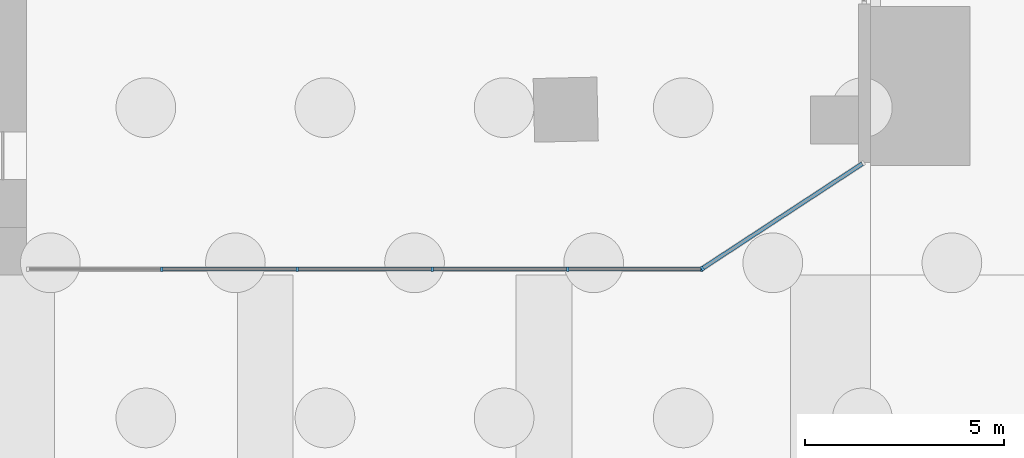
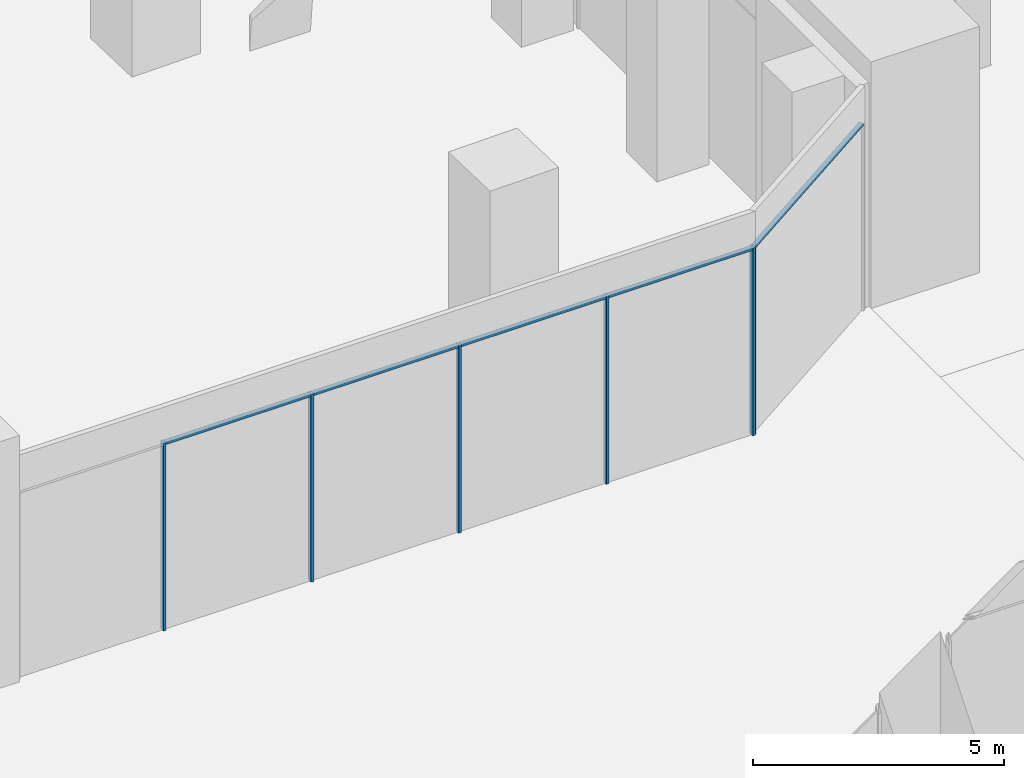
# One storey, part 27 of 46: 11 members, 2 elements without a shape of their own.
"""IFC4 building model written with IfcOpenShell, lengths in metres."""

from ifc_helpers import new_model, si_unit, direction, frame, origin, origin_2d, place, context, subcontext, project, spatial, rectangle, extrude, material, material_profile, profile_set, type_object, element, aggregate, save


model = new_model("IFC4")

# Units and contexts
model_context = context("Model", 3, precision=1e-05, world=origin(), true_north=direction((0.0, 1.0)))
body_context = subcontext(model_context, "Body", "Model", "MODEL_VIEW")
ifc_project = project(units=[si_unit("LENGTHUNIT", "METRE"), si_unit("AREAUNIT", "SQUARE_METRE"), si_unit("VOLUMEUNIT", "CUBIC_METRE"), si_unit("PLANEANGLEUNIT", "RADIAN"), si_unit("MASSUNIT", "GRAM", prefix="KILO")], contexts=[model_context])

# Site, building, storey
site_placement = place(None, origin())
site = spatial("IfcSite", under=ifc_project, at=site_placement, CompositionType="ELEMENT")
building_placement = place(site_placement, origin())
building = spatial("IfcBuilding", under=site, at=building_placement, Name="Mangrove Gate Tower", CompositionType="ELEMENT")
storey_placement = place(building_placement, origin())
storey = spatial("IfcBuildingStorey", under=building, at=storey_placement, Name="L00", CompositionType="ELEMENT", Elevation=0.0)

# Curtain wall, members
ifc_material_1 = material(Name="Aluminium and glass curtain wall", Category="aluminium")
curtain_wall_type = type_object("IfcCurtainWallType", Name="Podium shopfront glazing wall", PredefinedType="NOTDEFINED", material=ifc_material_1)
curtain_wall_1_placement = place(storey_placement, origin())
curtain_wall_1 = element("IfcCurtainWall", 1, at=curtain_wall_1_placement, inside=storey, type_object=curtain_wall_type, Name="Podium shopfront glazing S8s1", PredefinedType="NOTDEFINED")
ifc_material_2 = material(Name="Aluminium alloy 6063-T6", Category="aluminium")
ifc_material_profile_1 = material_profile(ifc_material_2, rectangle(XDim=0.06005859375, YDim=0.1201171875, at=origin_2d()))
ifc_profile_set_1 = profile_set([ifc_material_profile_1], Name="Aluminium alloy 6063-T6")
member_type_1 = type_object("IfcMemberType", Name="Podium shopfront glazing mullion 60x120", PredefinedType="MULLION", material=ifc_profile_set_1)
member_1_placement = place(storey_placement, frame((18.39990234375, -11.85009765625, 0.0), z_axis=(0.0, 0.0, 1.0), x_axis=(1.0, 0.0, 0.0)))
member_1 = element("IfcMember", 2, at=member_1_placement, type_object=member_type_1, Name="CWS mullion 2", PredefinedType="MULLION", context=body_context, shape_type="SweptSolid", body=[
    extrude(rectangle(XDim=0.06005859375, YDim=0.1201171875, at=origin_2d()), origin(), (0.0, 0.0, 1.0), 4.570068359375),
])
member_2_placement = place(storey_placement, frame((21.800048828125, -11.85009765625, 0.0), z_axis=(0.0, 0.0, 1.0), x_axis=(1.0, 0.0, 0.0)))
member_2 = element("IfcMember", 3, at=member_2_placement, type_object=member_type_1, Name="CWS mullion 3", PredefinedType="MULLION", context=body_context, shape_type="SweptSolid", body=[
    extrude(rectangle(XDim=0.06005859375, YDim=0.1201171875, at=origin_2d()), origin(), (0.0, 0.0, 1.0), 4.570068359375),
])
member_3_placement = place(storey_placement, frame((25.199951171875, -11.85009765625, 0.0), z_axis=(0.0, 0.0, 1.0), x_axis=(1.0, 0.0, 0.0)))
member_3 = element("IfcMember", 4, at=member_3_placement, type_object=member_type_1, Name="CWS mullion 4", PredefinedType="MULLION", context=body_context, shape_type="SweptSolid", body=[
    extrude(rectangle(XDim=0.06005859375, YDim=0.1201171875, at=origin_2d()), origin(), (0.0, 0.0, 1.0), 4.570068359375),
])
member_4_placement = place(storey_placement, frame((28.60009765625, -11.85009765625, 0.0), z_axis=(0.0, 0.0, 1.0), x_axis=(1.0, 0.0, 0.0)))
member_4 = element("IfcMember", 5, at=member_4_placement, type_object=member_type_1, Name="CWS mullion 5", PredefinedType="MULLION", context=body_context, shape_type="SweptSolid", body=[
    extrude(rectangle(XDim=0.06005859375, YDim=0.1201171875, at=origin_2d()), origin(), (0.0, 0.0, 1.0), 4.570068359375),
])
member_5_placement = place(storey_placement, frame((31.969970703125, -11.85009765625, 0.0), z_axis=(0.0, 0.0, 1.0), x_axis=(1.0, 0.0, 0.0)))
member_5 = element("IfcMember", 6, at=member_5_placement, type_object=member_type_1, Name="CWS mullion 6", PredefinedType="MULLION", context=body_context, shape_type="SweptSolid", body=[
    extrude(rectangle(XDim=0.06005859375, YDim=0.1201171875, at=origin_2d()), origin(), (0.0, 0.0, 1.0), 4.570068359375),
])

# Curtain wall, member
curtain_wall_2_placement = place(storey_placement, origin())
curtain_wall_2 = element("IfcCurtainWall", 7, at=curtain_wall_2_placement, inside=storey, type_object=curtain_wall_type, Name="Podium shopfront glazing S9s1", PredefinedType="NOTDEFINED")
member_6_placement = place(storey_placement, frame((31.98046875, -11.83349609375, 0.0), z_axis=(0.0, 0.0, 1.0), x_axis=(0.836618528559, 0.54778594147, 0.0)))
member_6 = element("IfcMember", 8, at=member_6_placement, type_object=member_type_1, Name="CWS mullion 1", PredefinedType="MULLION", context=body_context, shape_type="SweptSolid", body=[
    extrude(rectangle(XDim=0.06005859375, YDim=0.1201171875, at=origin_2d()), origin(), (0.0, 0.0, 1.0), 4.570068359375),
])

# Member
ifc_material_3 = material(Name="Aluminium alloy 6063-T6", Category="aluminium")
ifc_material_profile_2 = material_profile(ifc_material_3, rectangle(XDim=0.06005859375, YDim=0.10009765625, at=origin_2d()))
ifc_profile_set_2 = profile_set([ifc_material_profile_2], Name="Aluminium alloy 6063-T6")
member_type_2 = type_object("IfcMemberType", Name="Podium shopfront glazing transom 60x100", PredefinedType="USERDEFINED", material=ifc_profile_set_2)
member_7_placement = place(storey_placement, frame((18.429931640625, -11.85009765625, 4.5400390625), z_axis=(1.0, 0.0, 0.0), x_axis=(0.0, 0.0, 1.0)))
member_7 = element("IfcMember", 9, at=member_7_placement, type_object=member_type_2, Name="CWS transom 2.2", ObjectType="TRANSOM", PredefinedType="USERDEFINED", context=body_context, shape_type="SweptSolid", body=[
    extrude(rectangle(XDim=0.06005859375, YDim=0.10009765625, at=origin_2d()), origin(), (0.0, 0.0, 1.0), 3.340087890625),
])

member_8_placement = place(storey_placement, frame((21.830078125, -11.85009765625, 4.5400390625), z_axis=(1.0, 0.0, 0.0), x_axis=(0.0, 0.0, 1.0)))
member_8 = element("IfcMember", 10, at=member_8_placement, type_object=member_type_2, Name="CWS transom 3.2", ObjectType="TRANSOM", PredefinedType="USERDEFINED", context=body_context, shape_type="SweptSolid", body=[
    extrude(rectangle(XDim=0.06005859375, YDim=0.10009765625, at=origin_2d()), origin(), (0.0, 0.0, 1.0), 3.33984375),
])

member_9_placement = place(storey_placement, frame((25.22998046875, -11.85009765625, 4.5400390625), z_axis=(1.0, 0.0, 0.0), x_axis=(0.0, 0.0, 1.0)))
member_9 = element("IfcMember", 11, at=member_9_placement, type_object=member_type_2, Name="CWS transom 4.2", ObjectType="TRANSOM", PredefinedType="USERDEFINED", context=body_context, shape_type="SweptSolid", body=[
    extrude(rectangle(XDim=0.06005859375, YDim=0.10009765625, at=origin_2d()), origin(), (0.0, 0.0, 1.0), 3.340087890625),
])

member_10_placement = place(storey_placement, frame((28.6298828125, -11.85009765625, 4.5400390625), z_axis=(1.0, 0.0, 0.0), x_axis=(0.0, 0.0, 1.0)))
member_10 = element("IfcMember", 12, at=member_10_placement, type_object=member_type_2, Name="CWS transom 5.2", ObjectType="TRANSOM", PredefinedType="USERDEFINED", context=body_context, shape_type="SweptSolid", body=[
    extrude(rectangle(XDim=0.06005859375, YDim=0.10009765625, at=origin_2d()), origin(), (0.0, 0.0, 1.0), 3.31005859375),
])

aggregate(curtain_wall_1, [member_1, member_2, member_3, member_4, member_5, member_7, member_8, member_9, member_10])

member_11_placement = place(storey_placement, frame((32.00537109375, -11.817138671875, 4.5400390625), z_axis=(0.836631640764, 0.547765915034, 0.0), x_axis=(0.0, 0.0, 1.0)))
member_11 = element("IfcMember", 13, at=member_11_placement, type_object=member_type_2, Name="CWS transom 1.2", ObjectType="TRANSOM", PredefinedType="USERDEFINED", context=body_context, shape_type="SweptSolid", body=[
    extrude(rectangle(XDim=0.06005859375, YDim=0.10009765625, at=origin_2d()), origin(), (0.0, 0.0, 1.0), 4.7744140625),
])

aggregate(curtain_wall_2, [member_6, member_11])

save(model, "model.ifc")
